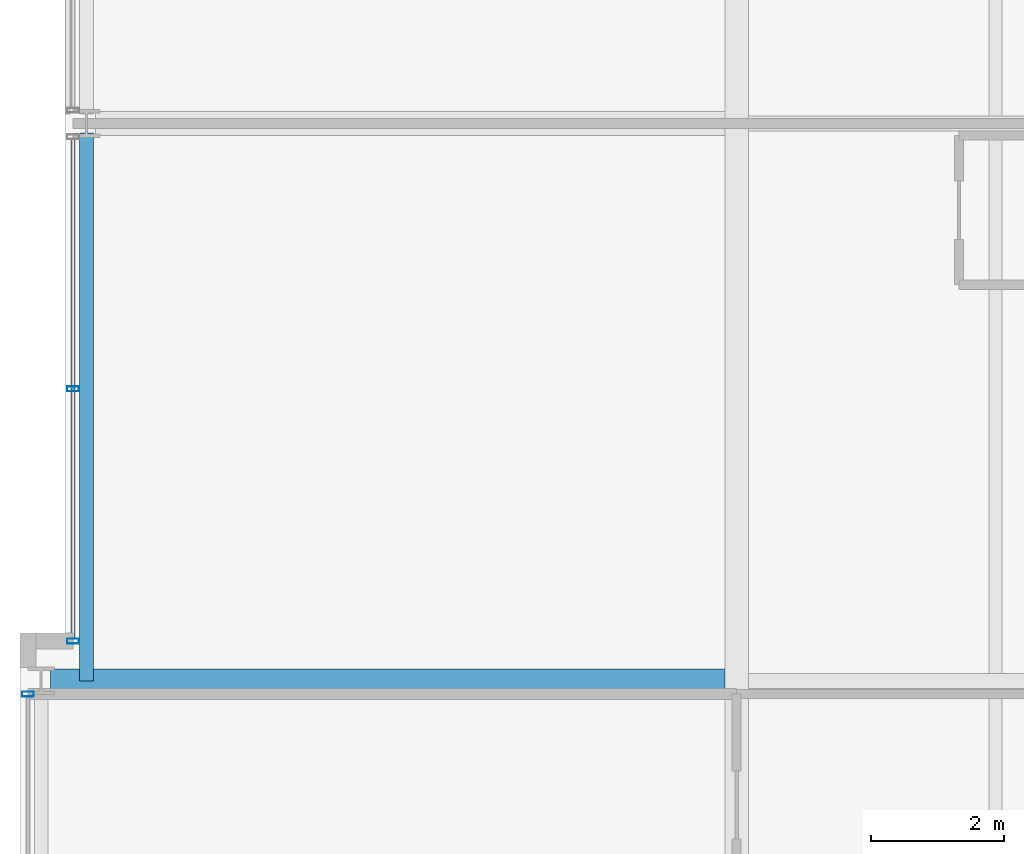
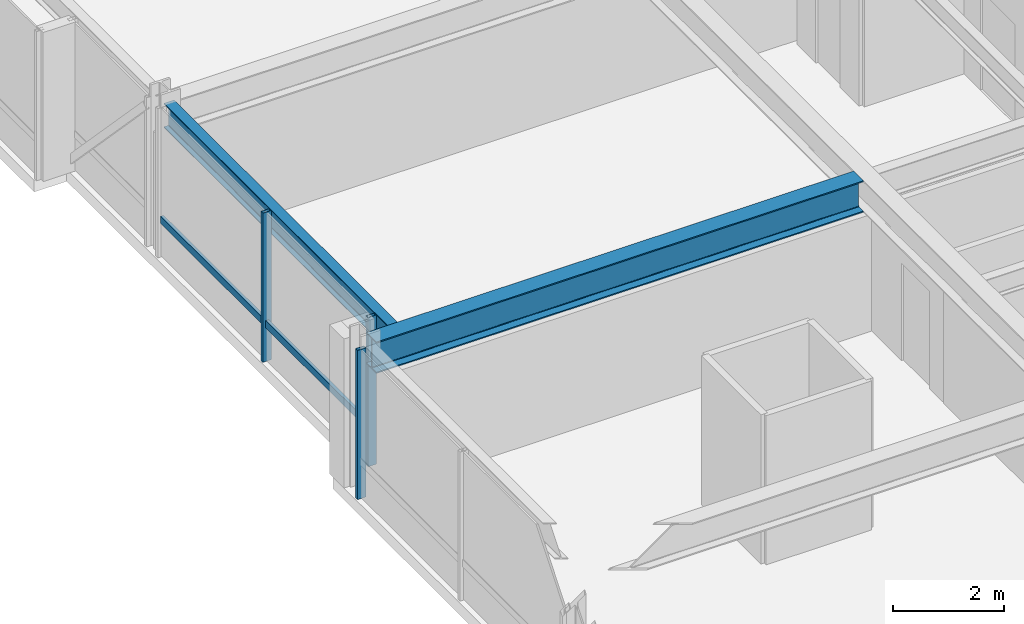
# One storey, part 7 of 33: 4 members, 2 beams, 2 elements without a shape of their own.
"""IFC4 building model written with IfcOpenShell, lengths in metres."""

from ifc_helpers import new_model, si_unit, direction, frame, origin, origin_2d, place, context, subcontext, project, spatial, hollow_rectangle, i_section, extrude, material, layer, layer_set, material_profile, profile_set, type_object, element, aggregate, save


model = new_model("IFC4")

# Units and contexts
model_context = context("Model", 3, precision=1e-05, world=origin(), true_north=direction((0.0, 1.0)))
body_context = subcontext(model_context, "Body", "Model", "MODEL_VIEW")
ifc_project = project(units=[si_unit("LENGTHUNIT", "METRE"), si_unit("AREAUNIT", "SQUARE_METRE"), si_unit("VOLUMEUNIT", "CUBIC_METRE"), si_unit("PLANEANGLEUNIT", "RADIAN"), si_unit("MASSUNIT", "GRAM", prefix="KILO")], contexts=[model_context])

# Site, building, storey
site_placement = place(None, origin())
site = spatial("IfcSite", under=ifc_project, at=site_placement, CompositionType="ELEMENT")
building_placement = place(site_placement, origin())
building = spatial("IfcBuilding", under=site, at=building_placement, Name="Drelvath Grand Hotel", CompositionType="ELEMENT")
storey_placement = place(building_placement, frame((0.0, 0.0, 168.14990234375)))
storey = spatial("IfcBuildingStorey", under=building, at=storey_placement, Name="L43", CompositionType="ELEMENT", Elevation=168.14990234375)

# Curtain wall, member
ifc_material_1 = material(Name="Brushed Pale-Silver Anodised Aluminium Frame", Category="aluminium")
ifc_layer = layer(ifc_material_1, 0.199951171875)
ifc_layer_set = layer_set([ifc_layer], Name="Brushed Pale-Silver Anodised Aluminium Frame")
curtain_wall_type = type_object("IfcCurtainWallType", Name="Stick Curtain Wall CW-04 Brushed Silver Upper-Mid", PredefinedType="NOTDEFINED", material=ifc_layer_set)
curtain_wall_1_placement = place(storey_placement, origin())
curtain_wall_1 = element("IfcCurtainWall", 1, at=curtain_wall_1_placement, inside=storey, type_object=curtain_wall_type, Name="L43 CW-04 Curtain Wall CW04-L43-WM1", PredefinedType="NOTDEFINED")
ifc_material_profile_1 = material_profile(ifc_material_1, hollow_rectangle(XDim=0.06494140625, YDim=0.159912109375, WallThickness=0.00390625, at=origin_2d()), Name="HSS160X65X4")
ifc_profile_set_1 = profile_set([ifc_material_profile_1], Name="Brushed Pale-Silver Anodised Aluminium Frame")
member_type_1 = type_object("IfcMemberType", Name="Curtain Wall Horizontal Transom CW-04 HSS160X65X4", PredefinedType="USERDEFINED", material=ifc_profile_set_1)
member_1_placement = place(storey_placement, frame((-26.199951171875, 19.239990234375, 0.822509765625), z_axis=(0.0, 1.0, 0.0), x_axis=(-1.0, 0.0, 0.0)))
member_1 = element("IfcMember", 2, at=member_1_placement, type_object=member_type_1, Name="CW04-L43-WM1 Sill Transom", ObjectType="TRANSOM", PredefinedType="USERDEFINED", context=body_context, shape_type="SweptSolid", body=[
    extrude(hollow_rectangle(XDim=0.06494140625, YDim=0.159912109375, WallThickness=0.00390625, at=origin_2d()), origin(), (0.0, 0.0, 1.0), 7.52001953125),
])

curtain_wall_2_placement = place(storey_placement, origin())
curtain_wall_2 = element("IfcCurtainWall", 3, at=curtain_wall_2_placement, inside=storey, type_object=curtain_wall_type, Name="L43 CW-04 Curtain Wall CW04-L43-WS2", PredefinedType="NOTDEFINED")
ifc_material_profile_2 = material_profile(ifc_material_1, hollow_rectangle(XDim=0.074951171875, YDim=0.179931640625, WallThickness=0.0048828125, at=origin_2d()), Name="HSS180X75X5")
ifc_profile_set_2 = profile_set([ifc_material_profile_2], Name="Brushed Pale-Silver Anodised Aluminium Frame")
member_type_2 = type_object("IfcMemberType", Name="Curtain Wall Vertical Mullion CW-04 HSS180X75X5", PredefinedType="MULLION", material=ifc_profile_set_2)
member_2_placement = place(storey_placement, frame((-26.8798828125, 18.39990234375, 0.0), z_axis=(0.0, 0.0, 1.0), x_axis=(0.0, 1.0, 0.0)))
member_2 = element("IfcMember", 4, at=member_2_placement, type_object=member_type_2, Name="CW04-L43-WS2 Mullion 3", PredefinedType="MULLION", context=body_context, shape_type="SweptSolid", body=[
    extrude(hollow_rectangle(XDim=0.074951171875, YDim=0.179931640625, WallThickness=0.0048828125, at=origin_2d()), origin(), (0.0, 0.0, 1.0), 3.2900390625),
])
aggregate(curtain_wall_2, [member_2])

# Member
member_3_placement = place(storey_placement, frame((-26.199951171875, 19.199951171875, 0.0), z_axis=(0.0, 0.0, 1.0), x_axis=(0.0, 1.0, 0.0)))
member_3 = element("IfcMember", 5, at=member_3_placement, type_object=member_type_2, Name="CW04-L43-WM1 Mullion 1", PredefinedType="MULLION", context=body_context, shape_type="SweptSolid", body=[
    extrude(hollow_rectangle(XDim=0.074951171875, YDim=0.179931640625, WallThickness=0.0048828125, at=origin_2d()), origin(), (0.0, 0.0, 1.0), 3.2900390625),
])

member_4_placement = place(storey_placement, frame((-26.199951171875, 23.0, 0.0), z_axis=(0.0, 0.0, 1.0), x_axis=(0.0, 1.0, 0.0)))
member_4 = element("IfcMember", 6, at=member_4_placement, type_object=member_type_2, Name="CW04-L43-WM1 Mullion 2", PredefinedType="MULLION", context=body_context, shape_type="SweptSolid", body=[
    extrude(hollow_rectangle(XDim=0.074951171875, YDim=0.179931640625, WallThickness=0.0048828125, at=origin_2d()), origin(), (0.0, 0.0, 1.0), 3.2900390625),
])

aggregate(curtain_wall_1, [member_3, member_4, member_1])

# Beams
ifc_material_2 = material(Name="Steel ASTM A992 Gr 50", Category="steel")
ifc_material_profile_3 = material_profile(ifc_material_2, i_section(OverallWidth=0.210205078125, OverallDepth=0.53662109375, WebThickness=0.010986328125, FlangeThickness=0.017333984375, FilletRadius=0.01806640625, at=origin_2d()), Name="W21X68")
ifc_profile_set_3 = profile_set([ifc_material_profile_3], Name="Steel ASTM A992 Gr 50")
beam_type_1 = type_object("IfcBeamType", Name="Perimeter Spandrel Beam W21X68", PredefinedType="SPANDREL", material=ifc_profile_set_3)
beam_1_placement = place(storey_placement, frame((-26.0, 18.60009765625, 3.021728515625), z_axis=(0.0, 1.0, 0.0), x_axis=(-1.0, 0.0, 0.0)))
element("IfcBeam", 7, at=beam_1_placement, inside=storey, type_object=beam_type_1, Name="L43 Spandrel West Mid S", PredefinedType="SPANDREL", context=body_context, shape_type="SweptSolid", body=[
    extrude(i_section(OverallWidth=0.210205078125, OverallDepth=0.53662109375, WebThickness=0.010986328125, FlangeThickness=0.017333984375, FilletRadius=0.01806640625, at=origin_2d()), origin(), (0.0, 0.0, 1.0), 8.260009765625),
])
ifc_material_profile_4 = material_profile(ifc_material_2, i_section(OverallWidth=0.354736328125, OverallDepth=0.695556640625, WebThickness=0.015380859375, FlangeThickness=0.025146484375, FilletRadius=0.02392578125, at=origin_2d()), Name="W27X146")
ifc_profile_set_4 = profile_set([ifc_material_profile_4], Name="Steel ASTM A992 Gr 50")
beam_type_2 = type_object("IfcBeamType", Name="Primary Floor Girder W27X146", PredefinedType="BEAM", material=ifc_profile_set_4)
beam_2_placement = place(storey_placement, frame((-26.5400390625, 18.60009765625, 2.9423828125), z_axis=(1.0, 0.0, 0.0), x_axis=(0.0, 1.0, 0.0)))
element("IfcBeam", 8, at=beam_2_placement, inside=storey, type_object=beam_type_2, Name="L43 West Wing Girder D", PredefinedType="BEAM", context=body_context, shape_type="SweptSolid", body=[
    extrude(i_section(OverallWidth=0.354736328125, OverallDepth=0.695556640625, WebThickness=0.015380859375, FlangeThickness=0.025146484375, FilletRadius=0.02392578125, at=origin_2d()), origin(), (0.0, 0.0, 1.0), 10.16259765625),
])

save(model, "model.ifc")
